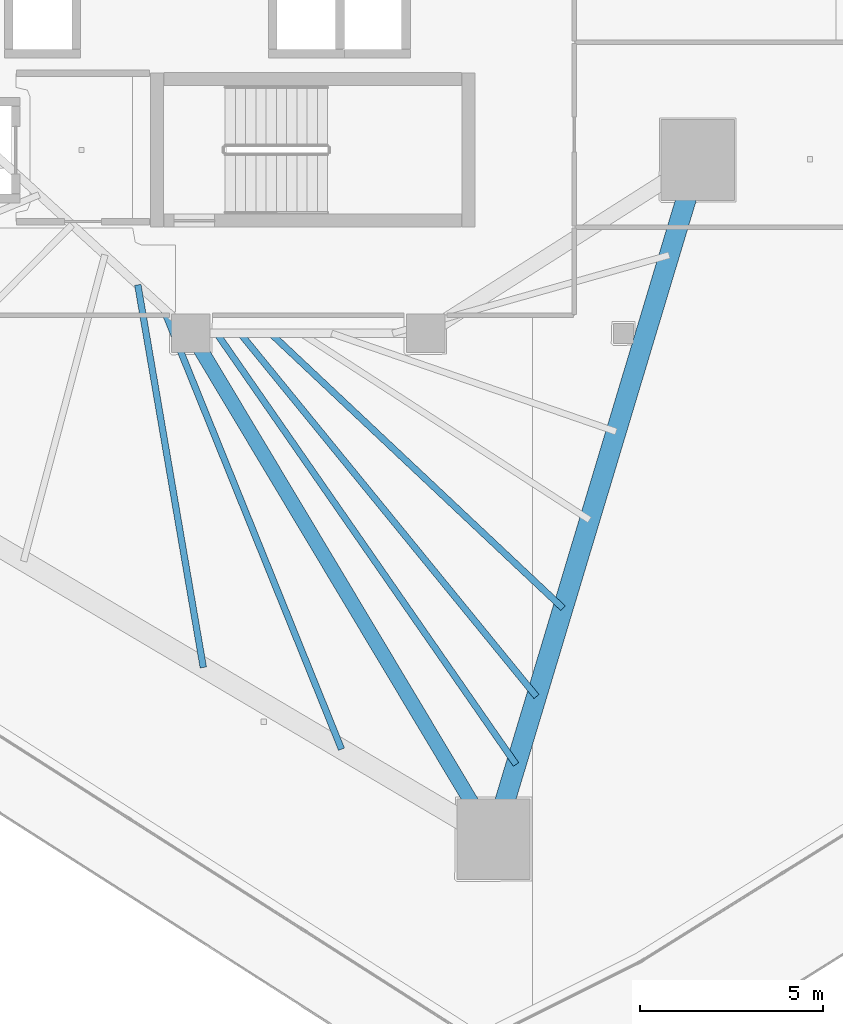
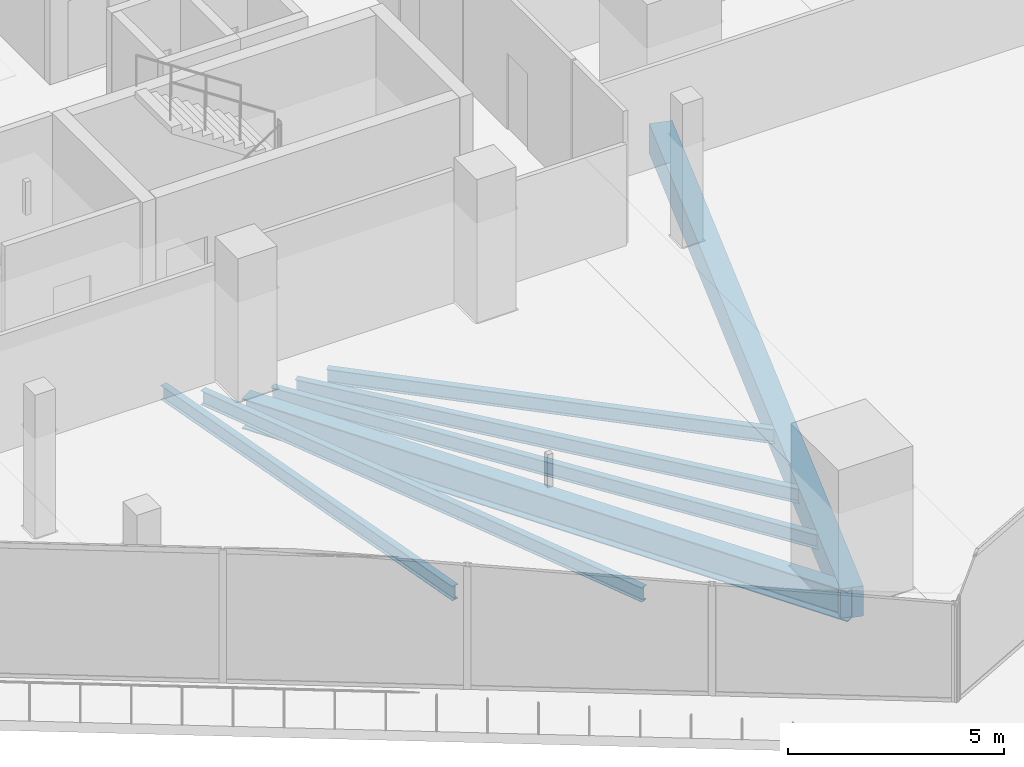
# One storey, part 9 of 42: 7 beams.
"""IFC4 building model written with IfcOpenShell, lengths in metres."""

import ifcopenshell
import ifcopenshell.guid

model = None  # the IFC model being written
_history = None  # IfcOwnerHistory: only IFC2X3 demands one
_inside = {}  # id of a spatial element -> (the spatial element, [elements in it])
_under = {}  # id of a project, library or spatial element -> (it, [spatial elements below it])
_declared = {}  # id of a project -> (the project, [libraries it declares])
_typed = {}  # id of a type object -> (the type object, [elements of that type])
_made_of = {}  # id of a material, layer set ... -> (it, [elements and type objects made of it])


def new_model(schema):
    """Start an empty IFC model of exactly this schema.

    Asked for "IFC4X3", IfcOpenShell would pick the latest addendum, in which some entities
    have other attributes; the version numbers below select the first issue.
    IFC2X3 requires an IfcOwnerHistory on every rooted entity: one is made here for all.
    """
    global model, _history
    if schema == "IFC4X3":
        model = ifcopenshell.file(schema_version=(4, 3, 0, 0))
    else:
        model = ifcopenshell.file(schema=schema)
    _inside.clear()
    _under.clear()
    _declared.clear()
    _typed.clear()
    _made_of.clear()
    _history = None
    if model.schema == "IFC2X3":
        org = make("IfcOrganization", Name="unknown")
        user = make(
            "IfcPersonAndOrganization",
            ThePerson=make("IfcPerson", FamilyName="unknown"),
            TheOrganization=org,
        )
        app = make(
            "IfcApplication",
            ApplicationDeveloper=org,
            Version="unknown",
            ApplicationFullName="unknown",
            ApplicationIdentifier="unknown",
        )
        _history = make(
            "IfcOwnerHistory",
            OwningUser=user,
            OwningApplication=app,
            ChangeAction="ADDED",
            CreationDate=0,
        )
    return model


def make(cls, **values):
    """One entity of the class cls with the attributes given. An attribute that is None is left unset."""
    return model.create_entity(
        cls, **{name: value for name, value in values.items() if value is not None}
    )


def rooted(cls, **values):
    """An entity with a GlobalId (a new one), such as an element, a storey or a relation."""
    return make(cls, GlobalId=ifcopenshell.guid.new(), OwnerHistory=_history, **values)


def si_unit(unit_type, name, prefix=None):
    """IfcSIUnit, for example si_unit("LENGTHUNIT", "METRE", prefix="MILLI")."""
    return make("IfcSIUnit", UnitType=unit_type, Prefix=prefix, Name=name)


def assignment(units):
    """IfcUnitAssignment: the units of a project."""
    return None if units is None else make("IfcUnitAssignment", Units=units)


def point(xyz):
    """IfcCartesianPoint."""
    return None if xyz is None else make("IfcCartesianPoint", Coordinates=xyz)


def direction(xyz):
    """IfcDirection."""
    return None if xyz is None else make("IfcDirection", DirectionRatios=xyz)


def frame(location, z_axis=None, x_axis=None):
    """IfcAxis2Placement3D, a coordinate frame: its origin and axes. An axis left out is left unset."""
    return make(
        "IfcAxis2Placement3D",
        Location=point(location),
        Axis=direction(z_axis),
        RefDirection=direction(x_axis),
    )


def frame_2d(location, x_axis=None):
    """IfcAxis2Placement2D, a coordinate frame in the plane: its origin and x axis."""
    return make(
        "IfcAxis2Placement2D", Location=point(location), RefDirection=direction(x_axis)
    )


def origin():
    """The frame at (0, 0, 0) with its axes left unset."""
    return frame((0.0, 0.0, 0.0))


def origin_2d():
    """The frame at (0, 0) in the plane with its x axis left unset."""
    return frame_2d((0.0, 0.0))


def place(relative_to, where):
    """IfcLocalPlacement: puts the frame where relative to a parent placement (None: the world)."""
    return make(
        "IfcLocalPlacement", PlacementRelTo=relative_to, RelativePlacement=where
    )


def context(
    kind, dimensions, precision=None, world=None, true_north=None, identifier=None
):
    """IfcGeometricRepresentationContext, for example the 3D "Model" context."""
    return make(
        "IfcGeometricRepresentationContext",
        ContextIdentifier=identifier,
        ContextType=kind,
        CoordinateSpaceDimension=dimensions,
        Precision=precision,
        WorldCoordinateSystem=world,
        TrueNorth=true_north,
    )


def subcontext(parent, identifier, kind, view, scale=None):
    """IfcGeometricRepresentationSubContext, for example "Body" below "Model"."""
    return make(
        "IfcGeometricRepresentationSubContext",
        ContextIdentifier=identifier,
        ContextType=kind,
        ParentContext=parent,
        TargetScale=scale,
        TargetView=view,
    )


def project(units=None, contexts=None):
    """IfcProject with its units and contexts."""
    return rooted(
        "IfcProject",
        Name="project",
        RepresentationContexts=contexts,
        UnitsInContext=assignment(units),
    )


def spatial(cls, under=None, at=None, **own):
    """A site, building, storey or space (cls), placed at a placement, below another one or the project."""
    s = rooted(cls, ObjectPlacement=at, **own)
    if under is not None:
        _under.setdefault(under.id(), (under, []))[1].append(s)
    return s


def profile(cls, at=None, kind="AREA", **sizes):
    """A parametric profile (cls). Its sizes go by their IFC names, for example OverallWidth=200.0."""
    return make(cls, ProfileType=kind, Position=at, **sizes)


def rectangle(**sizes):
    """IfcRectangleProfileDef."""
    return profile("IfcRectangleProfileDef", **sizes)


def i_section(**sizes):
    """IfcIShapeProfileDef."""
    return profile("IfcIShapeProfileDef", **sizes)


def extrude(swept, where, along, depth):
    """IfcExtrudedAreaSolid: the profile swept, set in the frame where, extruded along a direction by depth."""
    return make(
        "IfcExtrudedAreaSolid",
        SweptArea=swept,
        Position=where,
        ExtrudedDirection=direction(along),
        Depth=depth,
    )


def shape(context_of_items, identifier, shape_type, items):
    """IfcShapeRepresentation: the items that make up one representation, for example the "Body"."""
    return make(
        "IfcShapeRepresentation",
        ContextOfItems=context_of_items,
        RepresentationIdentifier=identifier,
        RepresentationType=shape_type,
        Items=items,
    )


def material(Name=None, Category=None):
    """IfcMaterial."""
    return make("IfcMaterial", Name=Name, Category=Category)


def material_profile(
    of_material, cross_section, Name=None, Category=None, Priority=None
):
    """IfcMaterialProfile: a cross section and its material."""
    return make(
        "IfcMaterialProfile",
        Name=Name,
        Material=of_material,
        Profile=cross_section,
        Priority=Priority,
        Category=Category,
    )


def profile_set(profiles, Name=None, composite=None):
    """IfcMaterialProfileSet."""
    return make(
        "IfcMaterialProfileSet",
        Name=Name,
        MaterialProfiles=profiles,
        CompositeProfile=composite,
    )


def made_of(thing, what):
    """Note that an element or type object is made of a material, layer set ...; save() writes the relation."""
    if what is not None:
        _made_of.setdefault(what.id(), (what, []))[1].append(thing)
    return thing


def type_object(cls, material=None, **own):
    """A type object (cls), such as IfcWallType, which elements share."""
    return made_of(rooted(cls, **own), material)


def element(
    cls,
    number,
    at=None,
    inside=None,
    cuts=None,
    type_object=None,
    material=None,
    context=None,
    identifier="Body",
    shape_type=None,
    held_by="IfcProductDefinitionShape",
    body=None,
    shapes=None,
    **own,
):
    """One element of the class cls, such as IfcWall. Its Tag is "e" and its number.

    at: its placement. inside: the storey or other place that contains it. cuts: it is an
    opening in that element (IfcRelVoidsElement). A single representation is given by context,
    identifier, shape_type and body (its items); several are given by shapes. held_by: the class
    of the entity that holds the representations. save() writes the other relations.
    """
    e = rooted(cls, Tag="e%d" % number, ObjectPlacement=at, **own)
    if body is not None:
        shapes = [shape(context, identifier, shape_type, body)]
    if shapes is not None:
        e.Representation = make(held_by, Representations=shapes)
    if inside is not None:
        _inside.setdefault(inside.id(), (inside, []))[1].append(e)
    if cuts is not None:
        rooted(
            "IfcRelVoidsElement", RelatingBuildingElement=cuts, RelatedOpeningElement=e
        )
    if type_object is not None:
        _typed.setdefault(type_object.id(), (type_object, []))[1].append(e)
    return made_of(e, material)


def aggregate(whole, parts):
    """IfcRelAggregates: a whole, such as a stair, and the parts it consists of."""
    return rooted("IfcRelAggregates", RelatingObject=whole, RelatedObjects=parts)


def save(model, path):
    """Write the relations noted so far, then the file.

    IfcRelAggregates (storeys below a building ...), IfcRelContainedInSpatialStructure (elements
    in a storey), IfcRelDefinesByType, IfcRelAssociatesMaterial and IfcRelDeclares: one each for
    every whole, place, type object, material and project.
    """
    for whole, parts in _under.values():
        aggregate(whole, parts)
    for where, things in _inside.values():
        rooted(
            "IfcRelContainedInSpatialStructure",
            RelatedElements=things,
            RelatingStructure=where,
        )
    for kind, things in _typed.values():
        rooted("IfcRelDefinesByType", RelatedObjects=things, RelatingType=kind)
    for what, things in _made_of.values():
        rooted("IfcRelAssociatesMaterial", RelatedObjects=things, RelatingMaterial=what)
    for by, libraries in _declared.values():
        rooted("IfcRelDeclares", RelatingContext=by, RelatedDefinitions=libraries)
    model.write(path)


model = new_model("IFC4")

# Units and contexts
model_context = context("Model", 3, precision=1e-05, world=origin(), true_north=direction((0.0, 1.0)))
body_context = subcontext(model_context, "Body", "Model", "MODEL_VIEW")
ifc_project = project(units=[si_unit("LENGTHUNIT", "METRE"), si_unit("AREAUNIT", "SQUARE_METRE"), si_unit("VOLUMEUNIT", "CUBIC_METRE"), si_unit("PLANEANGLEUNIT", "RADIAN"), si_unit("MASSUNIT", "GRAM", prefix="KILO")], contexts=[model_context])

# Site, building, storey
site_placement = place(None, origin())
site = spatial("IfcSite", under=ifc_project, at=site_placement, CompositionType="ELEMENT")
building_placement = place(site_placement, origin())
building = spatial("IfcBuilding", under=site, at=building_placement, Name="Qorvath Tower", CompositionType="ELEMENT")
storey_placement = place(building_placement, frame((0.0, 0.0, 121.949951171875)))
storey = spatial("IfcBuildingStorey", under=building, at=storey_placement, Name="L27", CompositionType="ELEMENT", Elevation=121.949951171875)

# Beams
ifc_material_1 = material(Name="Steel ASTM A992 Grade 50", Category="steel")
ifc_material_profile_1 = material_profile(ifc_material_1, i_section(OverallWidth=0.39892578125, OverallDepth=0.85498046875, WebThickness=0.018310546875, FlangeThickness=0.029296875, FilletRadius=0.02001953125, at=origin_2d()), Name="W33x201")
ifc_profile_set_1 = profile_set([ifc_material_profile_1], Name="Steel ASTM A992 Grade 50")
beam_type_1 = type_object("IfcBeamType", Name="BM-FG2", PredefinedType="BEAM", material=ifc_profile_set_1)
beam_1_placement = place(storey_placement, frame((-23.60009765625, -11.449951171875, -0.70751953125), z_axis=(0.513497213955, -0.85809126045, 0.0), x_axis=(0.85809126045, 0.513497213955, 0.0)))
element("IfcBeam", 1, at=beam_1_placement, inside=storey, type_object=beam_type_1, Name="Radial Floor Girder CC4-MC3 L27", PredefinedType="BEAM", context=body_context, shape_type="SweptSolid", body=[
    extrude(i_section(OverallWidth=0.39892578125, OverallDepth=0.85498046875, WebThickness=0.018310546875, FlangeThickness=0.029296875, FilletRadius=0.02001953125, at=origin_2d()), origin(), (0.0, 0.0, 1.0), 16.07763671875),
])
ifc_material_2 = material(Name="Steel ASTM A992 Grade 50", Category="steel")
ifc_material_profile_2 = material_profile(ifc_material_2, i_section(OverallWidth=0.177978515625, OverallDepth=0.406005859375, WebThickness=0.0078125, FlangeThickness=0.0126953125, FilletRadius=0.010986328125, at=origin_2d()), Name="W16x40")
ifc_profile_set_2 = profile_set([ifc_material_profile_2], Name="Steel ASTM A992 Grade 50")
beam_type_2 = type_object("IfcBeamType", Name="BM-FJ3", PredefinedType="JOIST", material=ifc_profile_set_2)
beam_2_placement = place(storey_placement, frame((-21.424072265625, -11.449951171875, -0.483154296875), z_axis=(0.728572459091, -0.684968737866, 0.0), x_axis=(0.684968737866, 0.728572459091, 0.0)))
element("IfcBeam", 2, at=beam_2_placement, inside=storey, type_object=beam_type_2, Name="Composite Floor Joist SE5 L27", PredefinedType="JOIST", context=body_context, shape_type="SweptSolid", body=[
    extrude(i_section(OverallWidth=0.177978515625, OverallDepth=0.406005859375, WebThickness=0.0078125, FlangeThickness=0.0126953125, FilletRadius=0.010986328125, at=origin_2d()), origin(), (0.0, 0.0, 1.0), 10.9462890625),
])
beam_3_placement = place(storey_placement, frame((-22.256103515625, -11.449951171875, -0.483154296875), z_axis=(0.632187975212, -0.774815051478, 0.0), x_axis=(0.774815051478, 0.632187975212, 0.0)))
element("IfcBeam", 3, at=beam_3_placement, inside=storey, type_object=beam_type_2, Name="Composite Floor Joist SE6 L27", PredefinedType="JOIST", context=body_context, shape_type="SweptSolid", body=[
    extrude(i_section(OverallWidth=0.177978515625, OverallDepth=0.406005859375, WebThickness=0.0078125, FlangeThickness=0.0126953125, FilletRadius=0.010986328125, at=origin_2d()), origin(), (0.0, 0.0, 1.0), 12.784912109375),
])
beam_4_placement = place(storey_placement, frame((-22.89599609375, -11.449951171875, -0.483154296875), z_axis=(0.570366725248, -0.821390162304, 0.0), x_axis=(0.821390162304, 0.570366725248, 0.0)))
element("IfcBeam", 4, at=beam_4_placement, inside=storey, type_object=beam_type_2, Name="Composite Floor Joist SE7 L27", PredefinedType="JOIST", context=body_context, shape_type="SweptSolid", body=[
    extrude(i_section(OverallWidth=0.177978515625, OverallDepth=0.406005859375, WebThickness=0.0078125, FlangeThickness=0.0126953125, FilletRadius=0.010986328125, at=origin_2d()), origin(), (0.0, 0.0, 1.0), 14.3154296875),
])
beam_5_placement = place(storey_placement, frame((-25.049072265625, -10.126953125, -0.483154296875), z_axis=(0.168745594245, -0.985659639238, 0.0), x_axis=(0.985659639238, 0.168745594245, 0.0)))
element("IfcBeam", 5, at=beam_5_placement, inside=storey, type_object=beam_type_2, Name="Composite Floor Joist SW6 L27", PredefinedType="JOIST", context=body_context, shape_type="SweptSolid", body=[
    extrude(i_section(OverallWidth=0.177978515625, OverallDepth=0.406005859375, WebThickness=0.0078125, FlangeThickness=0.0126953125, FilletRadius=0.010986328125, at=origin_2d()), origin(), (0.0, 0.0, 1.0), 10.589111328125),
])
beam_6_placement = place(storey_placement, frame((-24.35888671875, -10.757080078125, -0.483154296875), z_axis=(0.37487652097, -0.927074751045, 0.0), x_axis=(0.927074751045, 0.37487652097, 0.0)))
element("IfcBeam", 6, at=beam_6_placement, inside=storey, type_object=beam_type_2, Name="Composite Floor Joist SW7 L27", PredefinedType="JOIST", context=body_context, shape_type="SweptSolid", body=[
    extrude(i_section(OverallWidth=0.177978515625, OverallDepth=0.406005859375, WebThickness=0.0078125, FlangeThickness=0.0126953125, FilletRadius=0.010986328125, at=origin_2d()), origin(), (0.0, 0.0, 1.0), 12.9833984375),
])
ifc_material_3 = material(Name="Concrete C50/60", Category="concrete")
ifc_material_profile_3 = material_profile(ifc_material_3, rectangle(XDim=0.550048828125, YDim=0.85009765625, at=origin_2d()), Name="RCB 850x550")
ifc_profile_set_3 = profile_set([ifc_material_profile_3], Name="Concrete C50/60")
beam_type_3 = type_object("IfcBeamType", Name="BM-RCB2", PredefinedType="SPANDREL", material=ifc_profile_set_3)
beam_7_placement = place(storey_placement, frame((-15.34423828125, -25.24609375, -0.705078125), z_axis=(0.288133952099, 0.957590113591, 0.0), x_axis=(-0.957590113591, 0.288133952099, 0.0)))
element("IfcBeam", 7, at=beam_7_placement, inside=storey, type_object=beam_type_3, Name="Perimeter Loggia Frame Beam MC3-MC4 L27", PredefinedType="SPANDREL", context=body_context, shape_type="SweptSolid", body=[
    extrude(rectangle(XDim=0.550048828125, YDim=0.85009765625, at=origin_2d()), origin(), (0.0, 0.0, 1.0), 19.344970703125),
])

save(model, "model.ifc")
